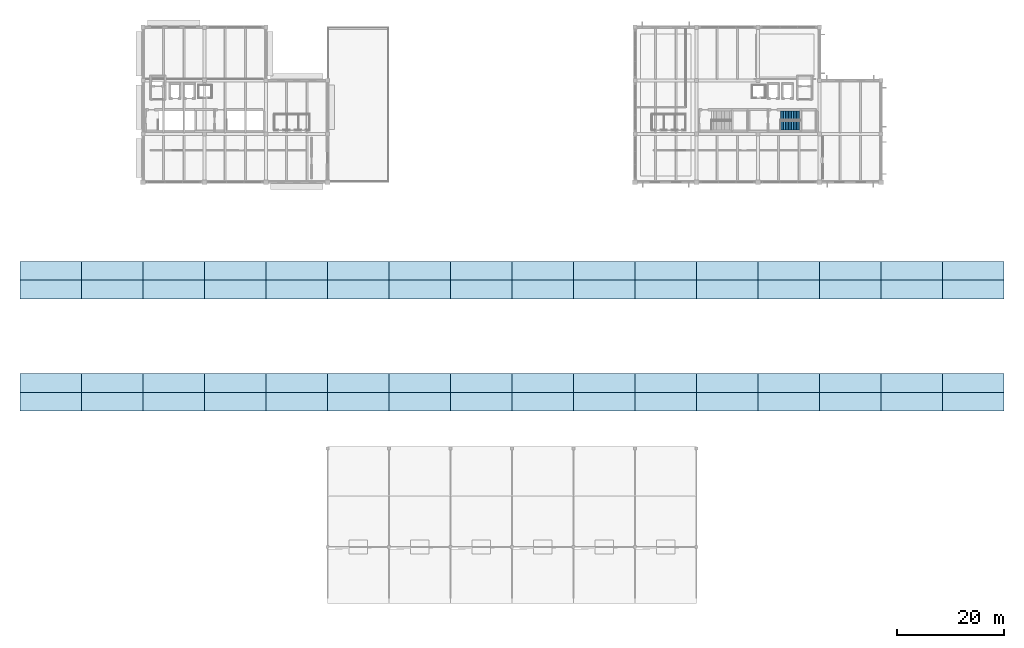
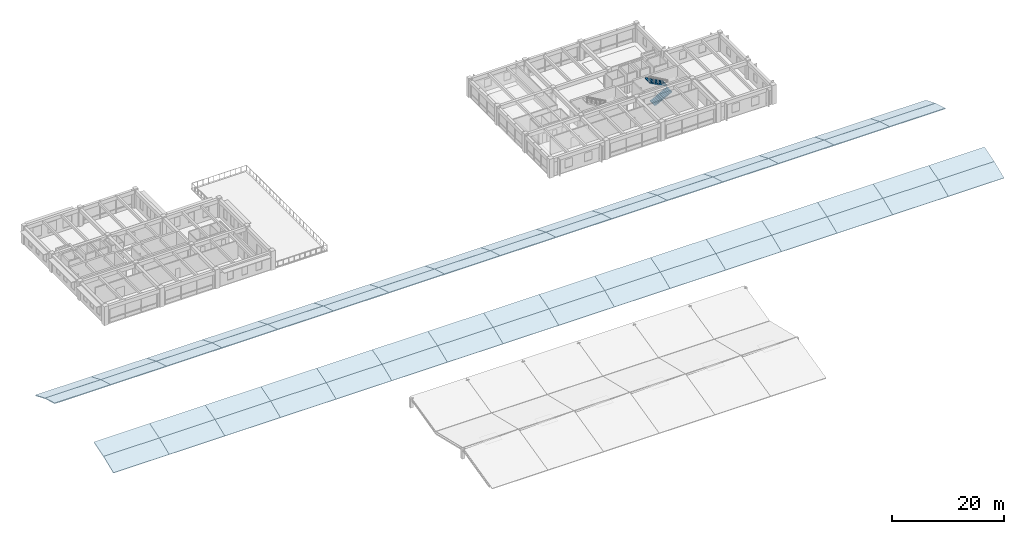
# One storey, part 30 of 33: 64 roofs, 2 stair flights, 1 element without a shape of its own.
"""IFC4 building model written with IfcOpenShell, lengths in metres."""

from ifc_helpers import new_model, si_unit, direction, frame, origin, place, context, subcontext, project, spatial, polyline, outline, extrude, material, layer, layer_set, type_object, element, aggregate, save


model = new_model("IFC4")

# Units and contexts
model_context = context("Model", 3, precision=1e-05, world=origin(), true_north=direction((0.0, 1.0)))
body_context = subcontext(model_context, "Body", "Model", "MODEL_VIEW")
ifc_project = project(units=[si_unit("LENGTHUNIT", "METRE"), si_unit("AREAUNIT", "SQUARE_METRE"), si_unit("VOLUMEUNIT", "CUBIC_METRE"), si_unit("PLANEANGLEUNIT", "RADIAN"), si_unit("MASSUNIT", "GRAM", prefix="KILO")], contexts=[model_context])

# Site, building, storey
site_placement = place(None, origin())
site = spatial("IfcSite", under=ifc_project, at=site_placement, CompositionType="ELEMENT")
building_placement = place(site_placement, origin())
building = spatial("IfcBuilding", under=site, at=building_placement, Name="Ologun Quay Terminus", CompositionType="ELEMENT")
storey_placement = place(building_placement, frame((0.0, 0.0, 18.300048828125)))
storey = spatial("IfcBuildingStorey", under=building, at=storey_placement, Name="L04", CompositionType="ELEMENT", Elevation=18.300048828125)

# Stair, stair flights
ifc_material_1 = material(Name="Concrete C40/50", Category="concrete")
stair_type = type_object("IfcStairType", Name="Courtyard Wing Upper Core Stair 1700", PredefinedType="HALF_TURN_STAIR", material=ifc_material_1)
stair_placement = place(storey_placement, origin())
stair = element("IfcStair", 1, at=stair_placement, inside=storey, type_object=stair_type, Name="ST-E2 Stair L04", PredefinedType="HALF_TURN_STAIR")
ifc_material_2 = material(Name="Concrete C40/50", Category="concrete")
stair_flight_type = type_object("IfcStairFlightType", Name="Courtyard Wing Precast Concrete Stair Flight 1700", PredefinedType="STRAIGHT", material=ifc_material_2)
stair_flight_1_placement = place(storey_placement, frame((142.199951171875, 96.449951171875, 0.0), z_axis=(0.0, 0.0, 1.0), x_axis=(1.0, 0.0, 0.0)))
stair_flight_1 = element("IfcStairFlight", 2, at=stair_flight_1_placement, type_object=stair_flight_type, Name="ST-E2 Lower Flight L04", NumberOfRisers=13, NumberOfTreads=12, PredefinedType="STRAIGHT", RiserHeight=0.16, TreadLength=0.3, context=body_context, shape_type="SweptSolid", body=[
    extrude(outline(polyline([(0.0, 0.0), (0.0, 0.159912109375), (0.300048828125, 0.159912109375), (0.300048828125, 0.320068359375), (0.60009765625, 0.320068359375), (0.60009765625, 0.47998046875), (0.89990234375, 0.47998046875), (0.89990234375, 0.639892578125), (1.199951171875, 0.639892578125), (1.199951171875, 0.800048828125), (1.5, 0.800048828125), (1.5, 0.9599609375), (1.800048828125, 0.9599609375), (1.800048828125, 1.1201171875), (2.10009765625, 1.1201171875), (2.10009765625, 1.280029296875), (2.39990234375, 1.280029296875), (2.39990234375, 1.43994140625), (2.699951171875, 1.43994140625), (2.699951171875, 1.60009765625), (3.0, 1.60009765625), (3.0, 1.760009765625), (3.300048828125, 1.760009765625), (3.300048828125, 1.919921875), (3.60009765625, 1.919921875), (3.60009765625, 2.080078125), (3.60009765625, 1.716064453125), (0.38232421875, 0.0), (0.0, 0.0)])), frame((0.0, 0.85009765625, 0.0), z_axis=(0.0, -1.0, 0.0), x_axis=(1.0, 0.0, 0.0)), (0.0, 0.0, 1.0), 1.699951171875),
])
stair_flight_2_placement = place(storey_placement, frame((145.800048828125, 98.25, 2.079833984375), z_axis=(0.0, 0.0, 1.0), x_axis=(-1.0, 0.0, 0.0)))
stair_flight_2 = element("IfcStairFlight", 3, at=stair_flight_2_placement, type_object=stair_flight_type, Name="ST-E2 Upper Flight L04", NumberOfRisers=13, NumberOfTreads=12, PredefinedType="STRAIGHT", RiserHeight=0.16, TreadLength=0.3, context=body_context, shape_type="SweptSolid", body=[
    extrude(outline(polyline([(0.0, 0.0), (0.0, 0.159912109375), (0.300048828125, 0.159912109375), (0.300048828125, 0.320068359375), (0.60009765625, 0.320068359375), (0.60009765625, 0.47998046875), (0.89990234375, 0.47998046875), (0.89990234375, 0.639892578125), (1.199951171875, 0.639892578125), (1.199951171875, 0.800048828125), (1.5, 0.800048828125), (1.5, 0.9599609375), (1.800048828125, 0.9599609375), (1.800048828125, 1.1201171875), (2.10009765625, 1.1201171875), (2.10009765625, 1.280029296875), (2.39990234375, 1.280029296875), (2.39990234375, 1.43994140625), (2.699951171875, 1.43994140625), (2.699951171875, 1.60009765625), (3.0, 1.60009765625), (3.0, 1.760009765625), (3.300048828125, 1.760009765625), (3.300048828125, 1.919921875), (3.60009765625, 1.919921875), (3.60009765625, 2.080078125), (3.60009765625, 1.716064453125), (0.38232421875, 0.0), (0.0, 0.0)])), frame((0.0, 0.85009765625, 0.0), z_axis=(0.0, -1.0, 0.0), x_axis=(1.0, 0.0, 0.0)), (0.0, 0.0, 1.0), 1.699951171875),
])
aggregate(stair, [stair_flight_1, stair_flight_2])

# Roofs
ifc_material_3 = material(Name="Steel S355", Category="steel")
ifc_layer = layer(ifc_material_3, 0.159912109375)
ifc_layer_set = layer_set([ifc_layer], Name="Steel S355")
roof_type = type_object("IfcRoofType", Name="Train Shed Barrel Vault Assembly", PredefinedType="BARREL_ROOF", material=ifc_layer_set)
roof_1_placement = place(storey_placement, frame((0.0, 43.0, 1.520263671875), z_axis=(0.0, -0.385474416755, 0.922718523726), x_axis=(1.0, 0.0, 0.0)))
element("IfcRoof", 4, at=roof_1_placement, inside=storey, type_object=roof_type, Name="RF-SHD Train Shed Vault Panel B1-P3", PredefinedType="BARREL_ROOF", context=body_context, shape_type="SweptSolid", body=[
    extrude(outline(polyline([(0.0, 0.0), (11.5, 0.0), (11.5, 3.793139413594724), (0.0, 3.793139413594724), (0.0, 0.0)])), origin(), (0.0, 0.0, -1.0), 0.159912109375),
])
for number, where, z_axis, x_axis, name in (
    (5, (0.0, 46.5, 2.975830078125), (0.0, -0.285949419701, 0.958244712677), (1.0, 0.0, 0.0), "RF-SHD Train Shed Vault Panel B1-P4"),
    (6, (0.0, 64.0, 4.020263671875), (0.0, 0.285949419701, 0.958244712677), (1.0, 0.0, 0.0), "RF-SHD Train Shed Vault Panel B1-P9"),
):
    element("IfcRoof", number, at=place(storey_placement, frame(where, z_axis=z_axis, x_axis=x_axis)), inside=storey, type_object=roof_type, Name=name, PredefinedType="BARREL_ROOF", context=body_context, shape_type="SweptSolid", body=[
        extrude(outline(polyline([(0.0, 0.0), (11.5, 0.0), (11.5, 3.6525116744171457), (0.0, 3.6525116744171457), (0.0, 0.0)])), origin(), (0.0, 0.0, -1.0), 0.159912109375),
    ])
for number, where, z_axis, x_axis, name in (
    (7, (0.0, 67.5, 2.982421875), (0.0, 0.385474416755, 0.922718523726), (1.0, 0.0, 0.0), "RF-SHD Train Shed Vault Panel B1-P10"),
    (8, (11.5, 43.0, 1.520263671875), (0.0, -0.385474416755, 0.922718523726), (1.0, 0.0, 0.0), "RF-SHD Train Shed Vault Panel B2-P3"),
):
    element("IfcRoof", number, at=place(storey_placement, frame(where, z_axis=z_axis, x_axis=x_axis)), inside=storey, type_object=roof_type, Name=name, PredefinedType="BARREL_ROOF", context=body_context, shape_type="SweptSolid", body=[
        extrude(outline(polyline([(0.0, 0.0), (11.5, 0.0), (11.5, 3.793139413594724), (0.0, 3.793139413594724), (0.0, 0.0)])), origin(), (0.0, 0.0, -1.0), 0.159912109375),
    ])
for number, where, z_axis, x_axis, name in (
    (9, (11.5, 46.5, 2.975830078125), (0.0, -0.285949419701, 0.958244712677), (1.0, 0.0, 0.0), "RF-SHD Train Shed Vault Panel B2-P4"),
    (10, (11.5, 64.0, 4.020263671875), (0.0, 0.285949419701, 0.958244712677), (1.0, 0.0, 0.0), "RF-SHD Train Shed Vault Panel B2-P9"),
):
    element("IfcRoof", number, at=place(storey_placement, frame(where, z_axis=z_axis, x_axis=x_axis)), inside=storey, type_object=roof_type, Name=name, PredefinedType="BARREL_ROOF", context=body_context, shape_type="SweptSolid", body=[
        extrude(outline(polyline([(0.0, 0.0), (11.5, 0.0), (11.5, 3.6525116744171457), (0.0, 3.6525116744171457), (0.0, 0.0)])), origin(), (0.0, 0.0, -1.0), 0.159912109375),
    ])
for number, where, z_axis, x_axis, name in (
    (11, (11.5, 67.5, 2.982421875), (0.0, 0.385474416755, 0.922718523726), (1.0, 0.0, 0.0), "RF-SHD Train Shed Vault Panel B2-P10"),
    (12, (23.0, 43.0, 1.520263671875), (0.0, -0.385474416755, 0.922718523726), (1.0, 0.0, 0.0), "RF-SHD Train Shed Vault Panel B3-P3"),
):
    element("IfcRoof", number, at=place(storey_placement, frame(where, z_axis=z_axis, x_axis=x_axis)), inside=storey, type_object=roof_type, Name=name, PredefinedType="BARREL_ROOF", context=body_context, shape_type="SweptSolid", body=[
        extrude(outline(polyline([(0.0, 0.0), (11.5, 0.0), (11.5, 3.793139413594724), (0.0, 3.793139413594724), (0.0, 0.0)])), origin(), (0.0, 0.0, -1.0), 0.159912109375),
    ])
for number, where, z_axis, x_axis, name in (
    (13, (23.0, 46.5, 2.975830078125), (0.0, -0.285949419701, 0.958244712677), (1.0, 0.0, 0.0), "RF-SHD Train Shed Vault Panel B3-P4"),
    (14, (23.0, 64.0, 4.020263671875), (0.0, 0.285949419701, 0.958244712677), (1.0, 0.0, 0.0), "RF-SHD Train Shed Vault Panel B3-P9"),
):
    element("IfcRoof", number, at=place(storey_placement, frame(where, z_axis=z_axis, x_axis=x_axis)), inside=storey, type_object=roof_type, Name=name, PredefinedType="BARREL_ROOF", context=body_context, shape_type="SweptSolid", body=[
        extrude(outline(polyline([(0.0, 0.0), (11.5, 0.0), (11.5, 3.6525116744171457), (0.0, 3.6525116744171457), (0.0, 0.0)])), origin(), (0.0, 0.0, -1.0), 0.159912109375),
    ])
for number, where, z_axis, x_axis, name in (
    (15, (23.0, 67.5, 2.982421875), (0.0, 0.385474416755, 0.922718523726), (1.0, 0.0, 0.0), "RF-SHD Train Shed Vault Panel B3-P10"),
    (16, (34.5, 43.0, 1.520263671875), (0.0, -0.385474416755, 0.922718523726), (1.0, 0.0, 0.0), "RF-SHD Train Shed Vault Panel B4-P3"),
):
    element("IfcRoof", number, at=place(storey_placement, frame(where, z_axis=z_axis, x_axis=x_axis)), inside=storey, type_object=roof_type, Name=name, PredefinedType="BARREL_ROOF", context=body_context, shape_type="SweptSolid", body=[
        extrude(outline(polyline([(0.0, 0.0), (11.5, 0.0), (11.5, 3.793139413594724), (0.0, 3.793139413594724), (0.0, 0.0)])), origin(), (0.0, 0.0, -1.0), 0.159912109375),
    ])
for number, where, z_axis, x_axis, name in (
    (17, (34.5, 46.5, 2.975830078125), (0.0, -0.285949419701, 0.958244712677), (1.0, 0.0, 0.0), "RF-SHD Train Shed Vault Panel B4-P4"),
    (18, (34.5, 64.0, 4.020263671875), (0.0, 0.285949419701, 0.958244712677), (1.0, 0.0, 0.0), "RF-SHD Train Shed Vault Panel B4-P9"),
):
    element("IfcRoof", number, at=place(storey_placement, frame(where, z_axis=z_axis, x_axis=x_axis)), inside=storey, type_object=roof_type, Name=name, PredefinedType="BARREL_ROOF", context=body_context, shape_type="SweptSolid", body=[
        extrude(outline(polyline([(0.0, 0.0), (11.5, 0.0), (11.5, 3.6525116744171457), (0.0, 3.6525116744171457), (0.0, 0.0)])), origin(), (0.0, 0.0, -1.0), 0.159912109375),
    ])
for number, where, z_axis, x_axis, name in (
    (19, (34.5, 67.5, 2.982421875), (0.0, 0.385474416755, 0.922718523726), (1.0, 0.0, 0.0), "RF-SHD Train Shed Vault Panel B4-P10"),
    (20, (46.0, 43.0, 1.520263671875), (0.0, -0.385474416755, 0.922718523726), (1.0, 0.0, 0.0), "RF-SHD Train Shed Vault Panel B5-P3"),
):
    element("IfcRoof", number, at=place(storey_placement, frame(where, z_axis=z_axis, x_axis=x_axis)), inside=storey, type_object=roof_type, Name=name, PredefinedType="BARREL_ROOF", context=body_context, shape_type="SweptSolid", body=[
        extrude(outline(polyline([(0.0, 0.0), (11.5, 0.0), (11.5, 3.793139413594724), (0.0, 3.793139413594724), (0.0, 0.0)])), origin(), (0.0, 0.0, -1.0), 0.159912109375),
    ])
for number, where, z_axis, x_axis, name in (
    (21, (46.0, 46.5, 2.975830078125), (0.0, -0.285949419701, 0.958244712677), (1.0, 0.0, 0.0), "RF-SHD Train Shed Vault Panel B5-P4"),
    (22, (46.0, 64.0, 4.020263671875), (0.0, 0.285949419701, 0.958244712677), (1.0, 0.0, 0.0), "RF-SHD Train Shed Vault Panel B5-P9"),
):
    element("IfcRoof", number, at=place(storey_placement, frame(where, z_axis=z_axis, x_axis=x_axis)), inside=storey, type_object=roof_type, Name=name, PredefinedType="BARREL_ROOF", context=body_context, shape_type="SweptSolid", body=[
        extrude(outline(polyline([(0.0, 0.0), (11.5, 0.0), (11.5, 3.6525116744171457), (0.0, 3.6525116744171457), (0.0, 0.0)])), origin(), (0.0, 0.0, -1.0), 0.159912109375),
    ])
for number, where, z_axis, x_axis, name in (
    (23, (46.0, 67.5, 2.982421875), (0.0, 0.385474416755, 0.922718523726), (1.0, 0.0, 0.0), "RF-SHD Train Shed Vault Panel B5-P10"),
    (24, (57.5, 43.0, 1.520263671875), (0.0, -0.385474416755, 0.922718523726), (1.0, 0.0, 0.0), "RF-SHD Train Shed Vault Panel B6-P3"),
):
    element("IfcRoof", number, at=place(storey_placement, frame(where, z_axis=z_axis, x_axis=x_axis)), inside=storey, type_object=roof_type, Name=name, PredefinedType="BARREL_ROOF", context=body_context, shape_type="SweptSolid", body=[
        extrude(outline(polyline([(0.0, 0.0), (11.5, 0.0), (11.5, 3.793139413594724), (0.0, 3.793139413594724), (0.0, 0.0)])), origin(), (0.0, 0.0, -1.0), 0.159912109375),
    ])
for number, where, z_axis, x_axis, name in (
    (25, (57.5, 46.5, 2.975830078125), (0.0, -0.285949419701, 0.958244712677), (1.0, 0.0, 0.0), "RF-SHD Train Shed Vault Panel B6-P4"),
    (26, (57.5, 64.0, 4.020263671875), (0.0, 0.285949419701, 0.958244712677), (1.0, 0.0, 0.0), "RF-SHD Train Shed Vault Panel B6-P9"),
):
    element("IfcRoof", number, at=place(storey_placement, frame(where, z_axis=z_axis, x_axis=x_axis)), inside=storey, type_object=roof_type, Name=name, PredefinedType="BARREL_ROOF", context=body_context, shape_type="SweptSolid", body=[
        extrude(outline(polyline([(0.0, 0.0), (11.5, 0.0), (11.5, 3.6525116744171457), (0.0, 3.6525116744171457), (0.0, 0.0)])), origin(), (0.0, 0.0, -1.0), 0.159912109375),
    ])
for number, where, z_axis, x_axis, name in (
    (27, (57.5, 67.5, 2.982421875), (0.0, 0.385474416755, 0.922718523726), (1.0, 0.0, 0.0), "RF-SHD Train Shed Vault Panel B6-P10"),
    (28, (69.0, 43.0, 1.520263671875), (0.0, -0.385474416755, 0.922718523726), (1.0, 0.0, 0.0), "RF-SHD Train Shed Vault Panel B7-P3"),
):
    element("IfcRoof", number, at=place(storey_placement, frame(where, z_axis=z_axis, x_axis=x_axis)), inside=storey, type_object=roof_type, Name=name, PredefinedType="BARREL_ROOF", context=body_context, shape_type="SweptSolid", body=[
        extrude(outline(polyline([(0.0, 0.0), (11.5, 0.0), (11.5, 3.793139413594724), (0.0, 3.793139413594724), (0.0, 0.0)])), origin(), (0.0, 0.0, -1.0), 0.159912109375),
    ])
for number, where, z_axis, x_axis, name in (
    (29, (69.0, 46.5, 2.975830078125), (0.0, -0.285949419701, 0.958244712677), (1.0, 0.0, 0.0), "RF-SHD Train Shed Vault Panel B7-P4"),
    (30, (69.0, 64.0, 4.020263671875), (0.0, 0.285949419701, 0.958244712677), (1.0, 0.0, 0.0), "RF-SHD Train Shed Vault Panel B7-P9"),
):
    element("IfcRoof", number, at=place(storey_placement, frame(where, z_axis=z_axis, x_axis=x_axis)), inside=storey, type_object=roof_type, Name=name, PredefinedType="BARREL_ROOF", context=body_context, shape_type="SweptSolid", body=[
        extrude(outline(polyline([(0.0, 0.0), (11.5, 0.0), (11.5, 3.6525116744171457), (0.0, 3.6525116744171457), (0.0, 0.0)])), origin(), (0.0, 0.0, -1.0), 0.159912109375),
    ])
for number, where, z_axis, x_axis, name in (
    (31, (69.0, 67.5, 2.982421875), (0.0, 0.385474416755, 0.922718523726), (1.0, 0.0, 0.0), "RF-SHD Train Shed Vault Panel B7-P10"),
    (32, (80.5, 43.0, 1.520263671875), (0.0, -0.385474416755, 0.922718523726), (1.0, 0.0, 0.0), "RF-SHD Train Shed Vault Panel B8-P3"),
):
    element("IfcRoof", number, at=place(storey_placement, frame(where, z_axis=z_axis, x_axis=x_axis)), inside=storey, type_object=roof_type, Name=name, PredefinedType="BARREL_ROOF", context=body_context, shape_type="SweptSolid", body=[
        extrude(outline(polyline([(0.0, 0.0), (11.5, 0.0), (11.5, 3.793139413594724), (0.0, 3.793139413594724), (0.0, 0.0)])), origin(), (0.0, 0.0, -1.0), 0.159912109375),
    ])
for number, where, z_axis, x_axis, name in (
    (33, (80.5, 46.5, 2.975830078125), (0.0, -0.285949419701, 0.958244712677), (1.0, 0.0, 0.0), "RF-SHD Train Shed Vault Panel B8-P4"),
    (34, (80.5, 64.0, 4.020263671875), (0.0, 0.285949419701, 0.958244712677), (1.0, 0.0, 0.0), "RF-SHD Train Shed Vault Panel B8-P9"),
):
    element("IfcRoof", number, at=place(storey_placement, frame(where, z_axis=z_axis, x_axis=x_axis)), inside=storey, type_object=roof_type, Name=name, PredefinedType="BARREL_ROOF", context=body_context, shape_type="SweptSolid", body=[
        extrude(outline(polyline([(0.0, 0.0), (11.5, 0.0), (11.5, 3.6525116744171457), (0.0, 3.6525116744171457), (0.0, 0.0)])), origin(), (0.0, 0.0, -1.0), 0.159912109375),
    ])
for number, where, z_axis, x_axis, name in (
    (35, (80.5, 67.5, 2.982421875), (0.0, 0.385474416755, 0.922718523726), (1.0, 0.0, 0.0), "RF-SHD Train Shed Vault Panel B8-P10"),
    (36, (92.0, 43.0, 1.520263671875), (0.0, -0.385474416755, 0.922718523726), (1.0, 0.0, 0.0), "RF-SHD Train Shed Vault Panel B9-P3"),
):
    element("IfcRoof", number, at=place(storey_placement, frame(where, z_axis=z_axis, x_axis=x_axis)), inside=storey, type_object=roof_type, Name=name, PredefinedType="BARREL_ROOF", context=body_context, shape_type="SweptSolid", body=[
        extrude(outline(polyline([(0.0, 0.0), (11.5, 0.0), (11.5, 3.793139413594724), (0.0, 3.793139413594724), (0.0, 0.0)])), origin(), (0.0, 0.0, -1.0), 0.159912109375),
    ])
for number, where, z_axis, x_axis, name in (
    (37, (92.0, 46.5, 2.975830078125), (0.0, -0.285949419701, 0.958244712677), (1.0, 0.0, 0.0), "RF-SHD Train Shed Vault Panel B9-P4"),
    (38, (92.0, 64.0, 4.020263671875), (0.0, 0.285949419701, 0.958244712677), (1.0, 0.0, 0.0), "RF-SHD Train Shed Vault Panel B9-P9"),
):
    element("IfcRoof", number, at=place(storey_placement, frame(where, z_axis=z_axis, x_axis=x_axis)), inside=storey, type_object=roof_type, Name=name, PredefinedType="BARREL_ROOF", context=body_context, shape_type="SweptSolid", body=[
        extrude(outline(polyline([(0.0, 0.0), (11.5, 0.0), (11.5, 3.6525116744171457), (0.0, 3.6525116744171457), (0.0, 0.0)])), origin(), (0.0, 0.0, -1.0), 0.159912109375),
    ])
for number, where, z_axis, x_axis, name in (
    (39, (92.0, 67.5, 2.982421875), (0.0, 0.385474416755, 0.922718523726), (1.0, 0.0, 0.0), "RF-SHD Train Shed Vault Panel B9-P10"),
    (40, (103.5, 43.0, 1.520263671875), (0.0, -0.385474416755, 0.922718523726), (1.0, 0.0, 0.0), "RF-SHD Train Shed Vault Panel B10-P3"),
):
    element("IfcRoof", number, at=place(storey_placement, frame(where, z_axis=z_axis, x_axis=x_axis)), inside=storey, type_object=roof_type, Name=name, PredefinedType="BARREL_ROOF", context=body_context, shape_type="SweptSolid", body=[
        extrude(outline(polyline([(0.0, 0.0), (11.5, 0.0), (11.5, 3.793139413594724), (0.0, 3.793139413594724), (0.0, 0.0)])), origin(), (0.0, 0.0, -1.0), 0.159912109375),
    ])
for number, where, z_axis, x_axis, name in (
    (41, (103.5, 46.5, 2.975830078125), (0.0, -0.285949419701, 0.958244712677), (1.0, 0.0, 0.0), "RF-SHD Train Shed Vault Panel B10-P4"),
    (42, (103.5, 64.0, 4.020263671875), (0.0, 0.285949419701, 0.958244712677), (1.0, 0.0, 0.0), "RF-SHD Train Shed Vault Panel B10-P9"),
):
    element("IfcRoof", number, at=place(storey_placement, frame(where, z_axis=z_axis, x_axis=x_axis)), inside=storey, type_object=roof_type, Name=name, PredefinedType="BARREL_ROOF", context=body_context, shape_type="SweptSolid", body=[
        extrude(outline(polyline([(0.0, 0.0), (11.5, 0.0), (11.5, 3.6525116744171457), (0.0, 3.6525116744171457), (0.0, 0.0)])), origin(), (0.0, 0.0, -1.0), 0.159912109375),
    ])
for number, where, z_axis, x_axis, name in (
    (43, (103.5, 67.5, 2.982421875), (0.0, 0.385474416755, 0.922718523726), (1.0, 0.0, 0.0), "RF-SHD Train Shed Vault Panel B10-P10"),
    (44, (115.0, 43.0, 1.520263671875), (0.0, -0.385474416755, 0.922718523726), (1.0, 0.0, 0.0), "RF-SHD Train Shed Vault Panel B11-P3"),
):
    element("IfcRoof", number, at=place(storey_placement, frame(where, z_axis=z_axis, x_axis=x_axis)), inside=storey, type_object=roof_type, Name=name, PredefinedType="BARREL_ROOF", context=body_context, shape_type="SweptSolid", body=[
        extrude(outline(polyline([(0.0, 0.0), (11.5, 0.0), (11.5, 3.793139413594724), (0.0, 3.793139413594724), (0.0, 0.0)])), origin(), (0.0, 0.0, -1.0), 0.159912109375),
    ])
for number, where, z_axis, x_axis, name in (
    (45, (115.0, 46.5, 2.975830078125), (0.0, -0.285949419701, 0.958244712677), (1.0, 0.0, 0.0), "RF-SHD Train Shed Vault Panel B11-P4"),
    (46, (115.0, 64.0, 4.020263671875), (0.0, 0.285949419701, 0.958244712677), (1.0, 0.0, 0.0), "RF-SHD Train Shed Vault Panel B11-P9"),
):
    element("IfcRoof", number, at=place(storey_placement, frame(where, z_axis=z_axis, x_axis=x_axis)), inside=storey, type_object=roof_type, Name=name, PredefinedType="BARREL_ROOF", context=body_context, shape_type="SweptSolid", body=[
        extrude(outline(polyline([(0.0, 0.0), (11.5, 0.0), (11.5, 3.6525116744171457), (0.0, 3.6525116744171457), (0.0, 0.0)])), origin(), (0.0, 0.0, -1.0), 0.159912109375),
    ])
for number, where, z_axis, x_axis, name in (
    (47, (115.0, 67.5, 2.982421875), (0.0, 0.385474416755, 0.922718523726), (1.0, 0.0, 0.0), "RF-SHD Train Shed Vault Panel B11-P10"),
    (48, (126.5, 43.0, 1.520263671875), (0.0, -0.385474416755, 0.922718523726), (1.0, 0.0, 0.0), "RF-SHD Train Shed Vault Panel B12-P3"),
):
    element("IfcRoof", number, at=place(storey_placement, frame(where, z_axis=z_axis, x_axis=x_axis)), inside=storey, type_object=roof_type, Name=name, PredefinedType="BARREL_ROOF", context=body_context, shape_type="SweptSolid", body=[
        extrude(outline(polyline([(0.0, 0.0), (11.5, 0.0), (11.5, 3.793139413594724), (0.0, 3.793139413594724), (0.0, 0.0)])), origin(), (0.0, 0.0, -1.0), 0.159912109375),
    ])
for number, where, z_axis, x_axis, name in (
    (49, (126.5, 46.5, 2.975830078125), (0.0, -0.285949419701, 0.958244712677), (1.0, 0.0, 0.0), "RF-SHD Train Shed Vault Panel B12-P4"),
    (50, (126.5, 64.0, 4.020263671875), (0.0, 0.285949419701, 0.958244712677), (1.0, 0.0, 0.0), "RF-SHD Train Shed Vault Panel B12-P9"),
):
    element("IfcRoof", number, at=place(storey_placement, frame(where, z_axis=z_axis, x_axis=x_axis)), inside=storey, type_object=roof_type, Name=name, PredefinedType="BARREL_ROOF", context=body_context, shape_type="SweptSolid", body=[
        extrude(outline(polyline([(0.0, 0.0), (11.5, 0.0), (11.5, 3.6525116744171457), (0.0, 3.6525116744171457), (0.0, 0.0)])), origin(), (0.0, 0.0, -1.0), 0.159912109375),
    ])
for number, where, z_axis, x_axis, name in (
    (51, (126.5, 67.5, 2.982421875), (0.0, 0.385474416755, 0.922718523726), (1.0, 0.0, 0.0), "RF-SHD Train Shed Vault Panel B12-P10"),
    (52, (138.0, 43.0, 1.520263671875), (0.0, -0.385474416755, 0.922718523726), (1.0, 0.0, 0.0), "RF-SHD Train Shed Vault Panel B13-P3"),
):
    element("IfcRoof", number, at=place(storey_placement, frame(where, z_axis=z_axis, x_axis=x_axis)), inside=storey, type_object=roof_type, Name=name, PredefinedType="BARREL_ROOF", context=body_context, shape_type="SweptSolid", body=[
        extrude(outline(polyline([(0.0, 0.0), (11.5, 0.0), (11.5, 3.793139413594724), (0.0, 3.793139413594724), (0.0, 0.0)])), origin(), (0.0, 0.0, -1.0), 0.159912109375),
    ])
for number, where, z_axis, x_axis, name in (
    (53, (138.0, 46.5, 2.975830078125), (0.0, -0.285949419701, 0.958244712677), (1.0, 0.0, 0.0), "RF-SHD Train Shed Vault Panel B13-P4"),
    (54, (138.0, 64.0, 4.020263671875), (0.0, 0.285949419701, 0.958244712677), (1.0, 0.0, 0.0), "RF-SHD Train Shed Vault Panel B13-P9"),
):
    element("IfcRoof", number, at=place(storey_placement, frame(where, z_axis=z_axis, x_axis=x_axis)), inside=storey, type_object=roof_type, Name=name, PredefinedType="BARREL_ROOF", context=body_context, shape_type="SweptSolid", body=[
        extrude(outline(polyline([(0.0, 0.0), (11.5, 0.0), (11.5, 3.6525116744171457), (0.0, 3.6525116744171457), (0.0, 0.0)])), origin(), (0.0, 0.0, -1.0), 0.159912109375),
    ])
for number, where, z_axis, x_axis, name in (
    (55, (138.0, 67.5, 2.982421875), (0.0, 0.385474416755, 0.922718523726), (1.0, 0.0, 0.0), "RF-SHD Train Shed Vault Panel B13-P10"),
    (56, (149.5, 43.0, 1.520263671875), (0.0, -0.385474416755, 0.922718523726), (1.0, 0.0, 0.0), "RF-SHD Train Shed Vault Panel B14-P3"),
):
    element("IfcRoof", number, at=place(storey_placement, frame(where, z_axis=z_axis, x_axis=x_axis)), inside=storey, type_object=roof_type, Name=name, PredefinedType="BARREL_ROOF", context=body_context, shape_type="SweptSolid", body=[
        extrude(outline(polyline([(0.0, 0.0), (11.5, 0.0), (11.5, 3.793139413594724), (0.0, 3.793139413594724), (0.0, 0.0)])), origin(), (0.0, 0.0, -1.0), 0.159912109375),
    ])
for number, where, z_axis, x_axis, name in (
    (57, (149.5, 46.5, 2.975830078125), (0.0, -0.285949419701, 0.958244712677), (1.0, 0.0, 0.0), "RF-SHD Train Shed Vault Panel B14-P4"),
    (58, (149.5, 64.0, 4.020263671875), (0.0, 0.285949419701, 0.958244712677), (1.0, 0.0, 0.0), "RF-SHD Train Shed Vault Panel B14-P9"),
):
    element("IfcRoof", number, at=place(storey_placement, frame(where, z_axis=z_axis, x_axis=x_axis)), inside=storey, type_object=roof_type, Name=name, PredefinedType="BARREL_ROOF", context=body_context, shape_type="SweptSolid", body=[
        extrude(outline(polyline([(0.0, 0.0), (11.5, 0.0), (11.5, 3.6525116744171457), (0.0, 3.6525116744171457), (0.0, 0.0)])), origin(), (0.0, 0.0, -1.0), 0.159912109375),
    ])
for number, where, z_axis, x_axis, name in (
    (59, (149.5, 67.5, 2.982421875), (0.0, 0.385474416755, 0.922718523726), (1.0, 0.0, 0.0), "RF-SHD Train Shed Vault Panel B14-P10"),
    (60, (161.0, 43.0, 1.520263671875), (0.0, -0.385474416755, 0.922718523726), (1.0, 0.0, 0.0), "RF-SHD Train Shed Vault Panel B15-P3"),
):
    element("IfcRoof", number, at=place(storey_placement, frame(where, z_axis=z_axis, x_axis=x_axis)), inside=storey, type_object=roof_type, Name=name, PredefinedType="BARREL_ROOF", context=body_context, shape_type="SweptSolid", body=[
        extrude(outline(polyline([(0.0, 0.0), (11.5, 0.0), (11.5, 3.793139413594724), (0.0, 3.793139413594724), (0.0, 0.0)])), origin(), (0.0, 0.0, -1.0), 0.159912109375),
    ])
for number, where, z_axis, x_axis, name in (
    (61, (161.0, 46.5, 2.975830078125), (0.0, -0.285949419701, 0.958244712677), (1.0, 0.0, 0.0), "RF-SHD Train Shed Vault Panel B15-P4"),
    (62, (161.0, 64.0, 4.020263671875), (0.0, 0.285949419701, 0.958244712677), (1.0, 0.0, 0.0), "RF-SHD Train Shed Vault Panel B15-P9"),
):
    element("IfcRoof", number, at=place(storey_placement, frame(where, z_axis=z_axis, x_axis=x_axis)), inside=storey, type_object=roof_type, Name=name, PredefinedType="BARREL_ROOF", context=body_context, shape_type="SweptSolid", body=[
        extrude(outline(polyline([(0.0, 0.0), (11.5, 0.0), (11.5, 3.6525116744171457), (0.0, 3.6525116744171457), (0.0, 0.0)])), origin(), (0.0, 0.0, -1.0), 0.159912109375),
    ])
for number, where, z_axis, x_axis, name in (
    (63, (161.0, 67.5, 2.982421875), (0.0, 0.385474416755, 0.922718523726), (1.0, 0.0, 0.0), "RF-SHD Train Shed Vault Panel B15-P10"),
    (64, (172.5, 43.0, 1.520263671875), (0.0, -0.385474416755, 0.922718523726), (1.0, 0.0, 0.0), "RF-SHD Train Shed Vault Panel B16-P3"),
):
    element("IfcRoof", number, at=place(storey_placement, frame(where, z_axis=z_axis, x_axis=x_axis)), inside=storey, type_object=roof_type, Name=name, PredefinedType="BARREL_ROOF", context=body_context, shape_type="SweptSolid", body=[
        extrude(outline(polyline([(0.0, 0.0), (11.5, 0.0), (11.5, 3.793139413594724), (0.0, 3.793139413594724), (0.0, 0.0)])), origin(), (0.0, 0.0, -1.0), 0.159912109375),
    ])
for number, where, z_axis, x_axis, name in (
    (65, (172.5, 46.5, 2.975830078125), (0.0, -0.285949419701, 0.958244712677), (1.0, 0.0, 0.0), "RF-SHD Train Shed Vault Panel B16-P4"),
    (66, (172.5, 64.0, 4.020263671875), (0.0, 0.285949419701, 0.958244712677), (1.0, 0.0, 0.0), "RF-SHD Train Shed Vault Panel B16-P9"),
):
    element("IfcRoof", number, at=place(storey_placement, frame(where, z_axis=z_axis, x_axis=x_axis)), inside=storey, type_object=roof_type, Name=name, PredefinedType="BARREL_ROOF", context=body_context, shape_type="SweptSolid", body=[
        extrude(outline(polyline([(0.0, 0.0), (11.5, 0.0), (11.5, 3.6525116744171457), (0.0, 3.6525116744171457), (0.0, 0.0)])), origin(), (0.0, 0.0, -1.0), 0.159912109375),
    ])
roof_2_placement = place(storey_placement, frame((172.5, 67.5, 2.982421875), z_axis=(0.0, 0.385474416755, 0.922718523726), x_axis=(1.0, 0.0, 0.0)))
element("IfcRoof", 67, at=roof_2_placement, inside=storey, type_object=roof_type, Name="RF-SHD Train Shed Vault Panel B16-P10", PredefinedType="BARREL_ROOF", context=body_context, shape_type="SweptSolid", body=[
    extrude(outline(polyline([(0.0, 0.0), (11.5, 0.0), (11.5, 3.793139413594724), (0.0, 3.793139413594724), (0.0, 0.0)])), origin(), (0.0, 0.0, -1.0), 0.159912109375),
])

save(model, "model.ifc")
